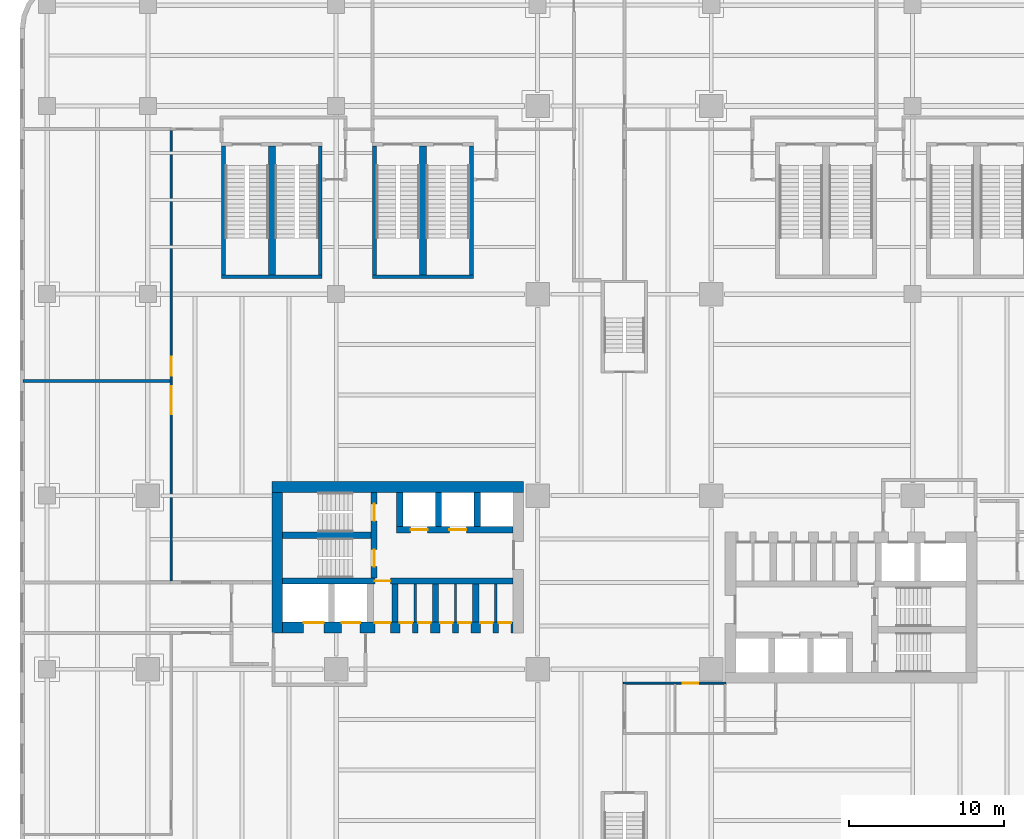
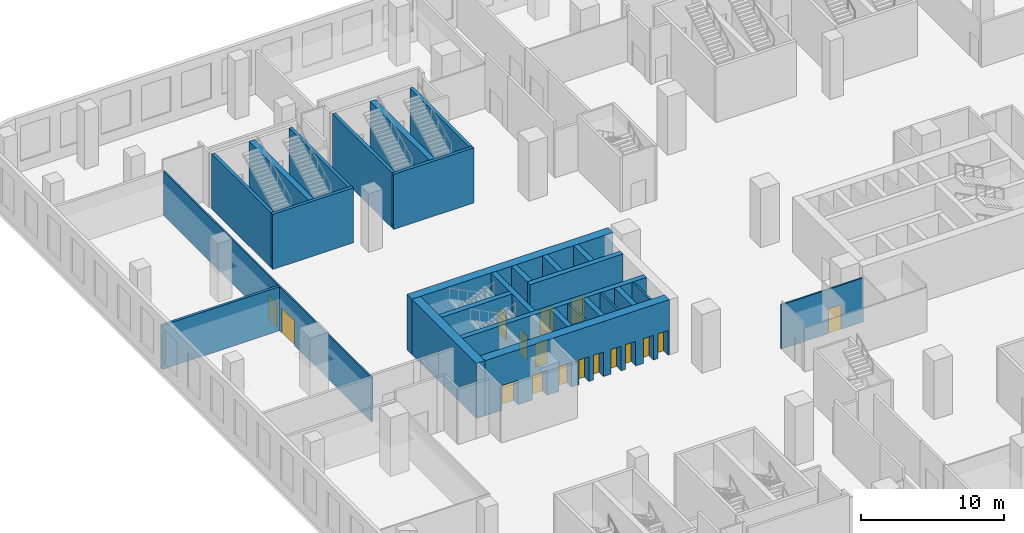
# One storey, part 9 of 17: 27 walls, 17 doors, 17 openings.
"""IFC4 building model written with IfcOpenShell, lengths in metres."""

from ifc_helpers import new_model, si_unit, direction, frame, frame_2d, origin, place, context, subcontext, project, spatial, rectangle, extrude, source, transform, mapped, material, layer, layer_set, type_object, element, fill, save


model = new_model("IFC4")

# Units and contexts
model_context = context("Model", 3, precision=1e-05, world=origin(), true_north=direction((0.0, 1.0)))
body_context = subcontext(model_context, "Body", "Model", "MODEL_VIEW")
ifc_project = project(units=[si_unit("LENGTHUNIT", "METRE"), si_unit("AREAUNIT", "SQUARE_METRE"), si_unit("VOLUMEUNIT", "CUBIC_METRE"), si_unit("PLANEANGLEUNIT", "RADIAN"), si_unit("MASSUNIT", "GRAM", prefix="KILO")], contexts=[model_context])

# Site, building, storey
site_placement = place(None, origin())
site = spatial("IfcSite", under=ifc_project, at=site_placement, CompositionType="ELEMENT")
building_placement = place(site_placement, origin())
building = spatial("IfcBuilding", under=site, at=building_placement, Name="Trellis Farm Tower", CompositionType="ELEMENT")
storey_placement = place(building_placement, frame((0.0, 0.0, 19.0)))
storey = spatial("IfcBuildingStorey", under=building, at=storey_placement, Name="L03", CompositionType="ELEMENT", Elevation=19.0)

# Wall
ifc_material_1 = material(Name="Lightweight blockwork, plastered", Category="masonry")
ifc_layer_1 = layer(ifc_material_1, 0.199951171875)
ifc_layer_set_1 = layer_set([ifc_layer_1], Name="BLOCK WALL 200 EI 120")
wall_type_1 = type_object("IfcWallType", Name="BLOCK WALL 200 EI 120", PredefinedType="PARTITIONING", material=ifc_layer_set_1)
wall_1_placement = place(storey_placement, frame((-38.800048828125, 13.0, 0.0), z_axis=(0.0, 0.0, 1.0), x_axis=(1.0, 0.0, 0.0)))
element("IfcWall", 1, at=wall_1_placement, inside=storey, type_object=wall_type_1, Name="Partition PW3", PredefinedType="PARTITIONING", context=body_context, shape_type="SweptSolid", body=[
    extrude(rectangle(XDim=9.487548828125, YDim=0.199951171875, at=frame_2d((4.74365234375, 0.0))), origin(), (0.0, 0.0, 1.0), 3.76171875),
])

# Wall, openings, doors
ifc_material_2 = material(Name="Plasterboard on steel studs, mineral wool", Category="steel")
ifc_layer_2 = layer(ifc_material_2, 0.125)
ifc_layer_set_2 = layer_set([ifc_layer_2], Name="PARTITION 125 STUD EI 60")
wall_type_2 = type_object("IfcWallType", Name="PARTITION 125 STUD EI 60", PredefinedType="PARTITIONING", material=ifc_layer_set_2)
wall_2_placement = place(storey_placement, frame((-29.25, 0.10009765625, 0.0), z_axis=(0.0, 0.0, 1.0), x_axis=(0.0, 1.0, 0.0)))
wall_2 = element("IfcWall", 2, at=wall_2_placement, inside=storey, type_object=wall_type_2, Name="Partition PW1", PredefinedType="PARTITIONING", context=body_context, shape_type="SweptSolid", body=[
    extrude(rectangle(XDim=29.0498046875, YDim=0.125, at=frame_2d((14.52490234375, 0.0))), origin(), (0.0, 0.0, 1.0), 3.76171875),
])
shared_shape_1 = source(origin(), body_context, "Body", "SweptSolid", [
    extrude(rectangle(XDim=1.800048828125, YDim=2.10009765625, at=frame_2d((0.89990234375, 1.050048828125))), frame((0.0, 0.072509765625, 0.0), z_axis=(0.0, -1.0, 0.0), x_axis=(1.0, 0.0, 0.0)), (0.0, 0.0, 1.0), 0.14501953125),
])
opening_1_placement = place(wall_2_placement, frame((10.75, 0.0, 0.0)))
opening_1 = element("IfcOpeningElement", 3, at=opening_1_placement, cuts=wall_2, Name="Opening D204", PredefinedType="OPENING", context=body_context, shape_type="MappedRepresentation", body=[
    mapped(shared_shape_1, transform((0.0, 0.0, 0.0))),
])
shared_shape_2 = source(origin(), body_context, "Body", "SweptSolid", [
    extrude(rectangle(XDim=1.199951171875, YDim=2.10009765625, at=frame_2d((0.60009765625, 1.050048828125))), frame((0.0, 0.072509765625, 0.0), z_axis=(0.0, -1.0, 0.0), x_axis=(1.0, 0.0, 0.0)), (0.0, 0.0, 1.0), 0.14501953125),
])
opening_2_placement = place(wall_2_placement, frame((13.25, 0.0, 0.0)))
opening_2 = element("IfcOpeningElement", 4, at=opening_2_placement, cuts=wall_2, Name="Opening D604", PredefinedType="OPENING", context=body_context, shape_type="MappedRepresentation", body=[
    mapped(shared_shape_2, transform((0.0, 0.0, 0.0))),
])
ifc_material_3 = material(Name="Fire-rated timber door leaf in a hollow metal frame", Category="wood")
door_type_1 = type_object("IfcDoorType", Name="DOOR 1200x2100 FD30S", OperationType="NOTDEFINED", PredefinedType="DOOR", material=ifc_material_3)
shared_shape_3 = source(origin(), body_context, "Body", "SweptSolid", [
    extrude(rectangle(XDim=1.199951171875, YDim=2.10009765625, at=frame_2d((0.60009765625, 1.050048828125))), frame((0.0, 0.02490234375, 0.0), z_axis=(0.0, -1.0, 0.0), x_axis=(1.0, 0.0, 0.0)), (0.0, 0.0, 1.0), 0.050048828125),
])
door_1_placement = place(opening_2_placement, origin())
door_1 = element("IfcDoor", 5, at=door_1_placement, inside=storey, type_object=door_type_1, Name="Door D604", OperationType="SINGLE_SWING_LEFT", OverallHeight=2.10009765625, OverallWidth=1.199951171875, PredefinedType="DOOR", context=body_context, shape_type="MappedRepresentation", body=[
    mapped(shared_shape_3, transform((0.0, 0.0, 0.0))),
])
fill(opening_2, door_1)
door_type_2 = type_object("IfcDoorType", Name="DOOR PAIR 1800x2100 FD30S", OperationType="NOTDEFINED", PredefinedType="DOOR", material=ifc_material_3)
shared_shape_4 = source(origin(), body_context, "Body", "SweptSolid", [
    extrude(rectangle(XDim=1.800048828125, YDim=2.10009765625, at=frame_2d((0.89990234375, 1.050048828125))), frame((0.0, 0.02490234375, 0.0), z_axis=(0.0, -1.0, 0.0), x_axis=(1.0, 0.0, 0.0)), (0.0, 0.0, 1.0), 0.050048828125),
])
door_2_placement = place(opening_1_placement, origin())
door_2 = element("IfcDoor", 6, at=door_2_placement, inside=storey, type_object=door_type_2, Name="Door D204", OperationType="DOUBLE_DOOR_SINGLE_SWING", OverallHeight=2.10009765625, OverallWidth=1.800048828125, PredefinedType="DOOR", context=body_context, shape_type="MappedRepresentation", body=[
    mapped(shared_shape_4, transform((0.0, 0.0, 0.0))),
])
fill(opening_1, door_2)

# Walls
ifc_material_4 = material(Name="Concrete C80/95", Category="concrete")
ifc_layer_3 = layer(ifc_material_4, 0.699951171875)
ifc_layer_set_3 = layer_set([ifc_layer_3], Name="CORE OUTER WALL 700 CONCRETE C80/95")
wall_type_3 = type_object("IfcWallType", Name="CORE OUTER WALL 700 CONCRETE C80/95", PredefinedType="SHEAR", material=ifc_layer_set_3)
shared_shape_5 = source(origin(), body_context, "Body", "SweptSolid", [
    extrude(rectangle(XDim=9.050048828125, YDim=0.699951171875, at=frame_2d((4.52490234375, 0.0))), origin(), (0.0, 0.0, 1.0), 4.699951171875),
])
wall_3_placement = place(storey_placement, frame((-22.39990234375, 5.800048828125, 0.0), z_axis=(0.0, 0.0, 1.0), x_axis=(0.0, -1.0, 0.0)))
element("IfcWall", 7, at=wall_3_placement, inside=storey, type_object=wall_type_3, Name="Core wall", PredefinedType="SHEAR", context=body_context, shape_type="MappedRepresentation", body=[
    mapped(shared_shape_5, transform((0.0, 0.0, 0.0))),
])
ifc_layer_4 = layer(ifc_material_4, 0.39990234375)
ifc_layer_set_4 = layer_set([ifc_layer_4], Name="CORE INNER WALL 400 CONCRETE C80/95")
wall_type_4 = type_object("IfcWallType", Name="CORE INNER WALL 400 CONCRETE C80/95", PredefinedType="SHEAR", material=ifc_layer_set_4)
shared_shape_6 = source(origin(), body_context, "Body", "SweptSolid", [
    extrude(rectangle(XDim=2.199951171875, YDim=0.39990234375, at=frame_2d((1.10009765625, 0.0))), origin(), (0.0, 0.0, 1.0), 4.699951171875),
])
for number, where, z_axis, x_axis, name in (
    (8, (-9.5, 5.800048828125, 0.0), (0.0, 0.0, 1.0), (0.0, -1.0, 0.0), "Core wall"),
    (9, (-12.0, 5.800048828125, 0.0), (0.0, 0.0, 1.0), (0.0, -1.0, 0.0), "Core wall"),
    (10, (-14.5, 5.800048828125, 0.0), (0.0, 0.0, 1.0), (0.0, -1.0, 0.0), "Core wall"),
):
    element("IfcWall", number, at=place(storey_placement, frame(where, z_axis=z_axis, x_axis=x_axis)), inside=storey, type_object=wall_type_4, Name=name, PredefinedType="SHEAR", context=body_context, shape_type="MappedRepresentation", body=[
        mapped(shared_shape_6, transform((0.0, 0.0, 0.0))),
    ])
shared_shape_7 = source(origin(), body_context, "Body", "SweptSolid", [
    extrude(rectangle(XDim=2.449951171875, YDim=0.39990234375, at=frame_2d((1.22509765625, 0.0))), origin(), (0.0, 0.0, 1.0), 4.699951171875),
])
for number, where, z_axis, x_axis, name in (
    (11, (-9.60009765625, -0.10009765625, 0.0), (0.0, 0.0, 1.0), (0.0, -1.0, 0.0), "Core wall"),
    (12, (-12.199951171875, -0.10009765625, 0.0), (0.0, 0.0, 1.0), (0.0, -1.0, 0.0), "Core wall"),
    (13, (-14.800048828125, -0.10009765625, 0.0), (0.0, 0.0, 1.0), (0.0, -1.0, 0.0), "Core wall"),
):
    element("IfcWall", number, at=place(storey_placement, frame(where, z_axis=z_axis, x_axis=x_axis)), inside=storey, type_object=wall_type_4, Name=name, PredefinedType="SHEAR", context=body_context, shape_type="MappedRepresentation", body=[
        mapped(shared_shape_7, transform((0.0, 0.0, 0.0))),
    ])
shared_shape_8 = source(origin(), body_context, "Body", "SweptSolid", [
    extrude(rectangle(XDim=16.25, YDim=0.699951171875, at=frame_2d((8.125, 0.0))), origin(), (0.0, 0.0, 1.0), 4.699951171875),
])
wall_4_placement = place(storey_placement, frame((-6.5, 6.14990234375, 0.0), z_axis=(0.0, 0.0, 1.0), x_axis=(-1.0, 0.0, 0.0)))
element("IfcWall", 14, at=wall_4_placement, inside=storey, type_object=wall_type_3, Name="Core wall", PredefinedType="SHEAR", context=body_context, shape_type="MappedRepresentation", body=[
    mapped(shared_shape_8, transform((0.0, 0.0, 0.0))),
])

# Wall, openings, doors
shared_shape_9 = source(origin(), body_context, "Body", "SweptSolid", [
    extrude(rectangle(XDim=14.85009765625, YDim=0.699951171875, at=frame_2d((7.425048828125, 0.0))), origin(), (0.0, 0.0, 1.0), 4.699951171875),
])
wall_5_placement = place(storey_placement, frame((-7.199951171875, -2.89990234375, 0.0), z_axis=(0.0, 0.0, 1.0), x_axis=(-1.0, 0.0, 0.0)))
wall_5 = element("IfcWall", 15, at=wall_5_placement, inside=storey, type_object=wall_type_3, Name="Core wall", PredefinedType="SHEAR", context=body_context, shape_type="MappedRepresentation", body=[
    mapped(shared_shape_9, transform((0.0, 0.0, 0.0))),
])
shared_shape_10 = source(origin(), body_context, "Body", "SweptSolid", [
    extrude(rectangle(XDim=1.300048828125, YDim=2.10009765625, at=frame_2d((0.64990234375, 1.050048828125))), frame((0.0, 0.360107421875, 0.0), z_axis=(0.0, -1.0, 0.0), x_axis=(1.0, 0.0, 0.0)), (0.0, 0.0, 1.0), 0.72021484375),
])
opening_3_placement = place(wall_5_placement, frame((12.199951171875, 0.0, 0.0)))
opening_3 = element("IfcOpeningElement", 16, at=opening_3_placement, cuts=wall_5, Name="Opening LD15", PredefinedType="OPENING", context=body_context, shape_type="MappedRepresentation", body=[
    mapped(shared_shape_10, transform((0.0, 0.0, 0.0))),
])
shared_shape_11 = source(origin(), body_context, "Body", "SweptSolid", [
    extrude(rectangle(XDim=1.199951171875, YDim=2.10009765625, at=frame_2d((0.60009765625, 1.050048828125))), frame((0.0, 0.360107421875, 0.0), z_axis=(0.0, -1.0, 0.0), x_axis=(1.0, 0.0, 0.0)), (0.0, 0.0, 1.0), 0.72021484375),
])
opening_4_placement = place(wall_5_placement, frame((9.85009765625, 0.0, 0.0)))
opening_4 = element("IfcOpeningElement", 17, at=opening_4_placement, cuts=wall_5, Name="Opening LD16", PredefinedType="OPENING", context=body_context, shape_type="MappedRepresentation", body=[
    mapped(shared_shape_11, transform((0.0, 0.0, 0.0))),
])
shared_shape_12 = source(origin(), body_context, "Body", "SweptSolid", [
    extrude(rectangle(XDim=1.0, YDim=2.10009765625, at=frame_2d((0.5, 1.050048828125))), frame((0.0, 0.360107421875, 0.0), z_axis=(0.0, -1.0, 0.0), x_axis=(1.0, 0.0, 0.0)), (0.0, 0.0, 1.0), 0.72021484375),
])
opening_5_placement = place(wall_5_placement, frame((7.89990234375, 0.0, 0.0)))
opening_5 = element("IfcOpeningElement", 18, at=opening_5_placement, cuts=wall_5, Name="Opening DC92", PredefinedType="OPENING", context=body_context, shape_type="MappedRepresentation", body=[
    mapped(shared_shape_12, transform((0.0, 0.0, 0.0))),
])
shared_shape_13 = source(origin(), body_context, "Body", "SweptSolid", [
    extrude(rectangle(XDim=0.800048828125, YDim=2.10009765625, at=frame_2d((0.39990234375, 1.050048828125))), frame((0.0, 0.360107421875, 0.0), z_axis=(0.0, -1.0, 0.0), x_axis=(1.0, 0.0, 0.0)), (0.0, 0.0, 1.0), 0.72021484375),
])
opening_6_placement = place(wall_5_placement, frame((0.112548828125, 0.0, 0.0)))
opening_6 = element("IfcOpeningElement", 19, at=opening_6_placement, cuts=wall_5, Name="Opening DC95", PredefinedType="OPENING", context=body_context, shape_type="MappedRepresentation", body=[
    mapped(shared_shape_13, transform((0.0, 0.0, 0.0))),
])
opening_7_placement = place(wall_5_placement, frame((1.28759765625, 0.0, 0.0)))
opening_7 = element("IfcOpeningElement", 20, at=opening_7_placement, cuts=wall_5, Name="Opening DC102", PredefinedType="OPENING", context=body_context, shape_type="MappedRepresentation", body=[
    mapped(shared_shape_13, transform((0.0, 0.0, 0.0))),
])
opening_8_placement = place(wall_5_placement, frame((2.71240234375, 0.0, 0.0)))
opening_8 = element("IfcOpeningElement", 21, at=opening_8_placement, cuts=wall_5, Name="Opening DC107", PredefinedType="OPENING", context=body_context, shape_type="MappedRepresentation", body=[
    mapped(shared_shape_13, transform((0.0, 0.0, 0.0))),
])
opening_9_placement = place(wall_5_placement, frame((3.887451171875, 0.0, 0.0)))
opening_9 = element("IfcOpeningElement", 22, at=opening_9_placement, cuts=wall_5, Name="Opening DC114", PredefinedType="OPENING", context=body_context, shape_type="MappedRepresentation", body=[
    mapped(shared_shape_13, transform((0.0, 0.0, 0.0))),
])
opening_10_placement = place(wall_5_placement, frame((5.3125, 0.0, 0.0)))
opening_10 = element("IfcOpeningElement", 23, at=opening_10_placement, cuts=wall_5, Name="Opening DC119", PredefinedType="OPENING", context=body_context, shape_type="MappedRepresentation", body=[
    mapped(shared_shape_13, transform((0.0, 0.0, 0.0))),
])
opening_11_placement = place(wall_5_placement, frame((6.487548828125, 0.0, 0.0)))
opening_11 = element("IfcOpeningElement", 24, at=opening_11_placement, cuts=wall_5, Name="Opening DC126", PredefinedType="OPENING", context=body_context, shape_type="MappedRepresentation", body=[
    mapped(shared_shape_13, transform((0.0, 0.0, 0.0))),
])
ifc_material_5 = material(Name="Steel", Category="steel")
door_type_3 = type_object("IfcDoorType", Name="CORE FIRE DOOR 1000 X 2100", OperationType="NOTDEFINED", PredefinedType="DOOR", material=ifc_material_5)
shared_shape_14 = source(origin(), body_context, "Body", "SweptSolid", [
    extrude(rectangle(XDim=1.0, YDim=2.10009765625, at=frame_2d((0.5, 1.050048828125))), frame((0.0, -0.27490234375, 0.0), z_axis=(0.0, -1.0, 0.0), x_axis=(1.0, 0.0, 0.0)), (0.0, 0.0, 1.0), 0.050048828125),
])
door_3_placement = place(opening_5_placement, origin())
door_3 = element("IfcDoor", 25, at=door_3_placement, inside=storey, type_object=door_type_3, Name="Core door", OperationType="SINGLE_SWING_LEFT", OverallHeight=2.10009765625, OverallWidth=1.0, PredefinedType="DOOR", context=body_context, shape_type="MappedRepresentation", body=[
    mapped(shared_shape_14, transform((0.0, 0.0, 0.0))),
])
fill(opening_5, door_3)
ifc_material_6 = material(Name="Stainless steel", Category="steel")
door_type_4 = type_object("IfcDoorType", Name="LIFT LANDING DOOR 1300 X 2100", OperationType="DOUBLE_DOOR_SLIDING", PredefinedType="DOOR", material=ifc_material_6)
shared_shape_15 = source(origin(), body_context, "Body", "SweptSolid", [
    extrude(rectangle(XDim=1.300048828125, YDim=2.10009765625, at=frame_2d((0.64990234375, 1.050048828125))), frame((0.0, -0.27490234375, 0.0), z_axis=(0.0, -1.0, 0.0), x_axis=(1.0, 0.0, 0.0)), (0.0, 0.0, 1.0), 0.050048828125),
])
door_4_placement = place(opening_3_placement, origin())
door_4 = element("IfcDoor", 26, at=door_4_placement, inside=storey, type_object=door_type_4, Name="Lift landing door", OperationType="DOUBLE_DOOR_SLIDING", OverallHeight=2.10009765625, OverallWidth=1.300048828125, PredefinedType="DOOR", context=body_context, shape_type="MappedRepresentation", body=[
    mapped(shared_shape_15, transform((0.0, 0.0, 0.0))),
])
fill(opening_3, door_4)
door_type_5 = type_object("IfcDoorType", Name="LIFT LANDING DOOR 1200 X 2100", OperationType="DOUBLE_DOOR_SLIDING", PredefinedType="DOOR", material=ifc_material_6)
shared_shape_16 = source(origin(), body_context, "Body", "SweptSolid", [
    extrude(rectangle(XDim=1.199951171875, YDim=2.10009765625, at=frame_2d((0.60009765625, 1.050048828125))), frame((0.0, -0.27490234375, 0.0), z_axis=(0.0, -1.0, 0.0), x_axis=(1.0, 0.0, 0.0)), (0.0, 0.0, 1.0), 0.050048828125),
])
door_5_placement = place(opening_4_placement, origin())
door_5 = element("IfcDoor", 27, at=door_5_placement, inside=storey, type_object=door_type_5, Name="Lift landing door", OperationType="DOUBLE_DOOR_SLIDING", OverallHeight=2.10009765625, OverallWidth=1.199951171875, PredefinedType="DOOR", context=body_context, shape_type="MappedRepresentation", body=[
    mapped(shared_shape_16, transform((0.0, 0.0, 0.0))),
])
fill(opening_4, door_5)
door_type_6 = type_object("IfcDoorType", Name="CORE FIRE DOOR 800 X 2100", OperationType="NOTDEFINED", PredefinedType="DOOR", material=ifc_material_5)
shared_shape_17 = source(origin(), body_context, "Body", "SweptSolid", [
    extrude(rectangle(XDim=0.800048828125, YDim=2.10009765625, at=frame_2d((0.39990234375, 1.050048828125))), frame((0.0, -0.27490234375, 0.0), z_axis=(0.0, -1.0, 0.0), x_axis=(1.0, 0.0, 0.0)), (0.0, 0.0, 1.0), 0.050048828125),
])
door_6_placement = place(opening_6_placement, origin())
door_6 = element("IfcDoor", 28, at=door_6_placement, inside=storey, type_object=door_type_6, Name="Core door", OperationType="SINGLE_SWING_LEFT", OverallHeight=2.10009765625, OverallWidth=0.800048828125, PredefinedType="DOOR", context=body_context, shape_type="MappedRepresentation", body=[
    mapped(shared_shape_17, transform((0.0, 0.0, 0.0))),
])
fill(opening_6, door_6)
door_7_placement = place(opening_7_placement, origin())
door_7 = element("IfcDoor", 29, at=door_7_placement, inside=storey, type_object=door_type_6, Name="Core door", OperationType="SINGLE_SWING_RIGHT", OverallHeight=2.10009765625, OverallWidth=0.800048828125, PredefinedType="DOOR", context=body_context, shape_type="MappedRepresentation", body=[
    mapped(shared_shape_17, transform((0.0, 0.0, 0.0))),
])
fill(opening_7, door_7)
door_8_placement = place(opening_8_placement, origin())
door_8 = element("IfcDoor", 30, at=door_8_placement, inside=storey, type_object=door_type_6, Name="Core door", OperationType="SINGLE_SWING_LEFT", OverallHeight=2.10009765625, OverallWidth=0.800048828125, PredefinedType="DOOR", context=body_context, shape_type="MappedRepresentation", body=[
    mapped(shared_shape_17, transform((0.0, 0.0, 0.0))),
])
fill(opening_8, door_8)
door_9_placement = place(opening_9_placement, origin())
door_9 = element("IfcDoor", 31, at=door_9_placement, inside=storey, type_object=door_type_6, Name="Core door", OperationType="SINGLE_SWING_RIGHT", OverallHeight=2.10009765625, OverallWidth=0.800048828125, PredefinedType="DOOR", context=body_context, shape_type="MappedRepresentation", body=[
    mapped(shared_shape_17, transform((0.0, 0.0, 0.0))),
])
fill(opening_9, door_9)
door_10_placement = place(opening_10_placement, origin())
door_10 = element("IfcDoor", 32, at=door_10_placement, inside=storey, type_object=door_type_6, Name="Core door", OperationType="SINGLE_SWING_LEFT", OverallHeight=2.10009765625, OverallWidth=0.800048828125, PredefinedType="DOOR", context=body_context, shape_type="MappedRepresentation", body=[
    mapped(shared_shape_17, transform((0.0, 0.0, 0.0))),
])
fill(opening_10, door_10)
door_11_placement = place(opening_11_placement, origin())
door_11 = element("IfcDoor", 33, at=door_11_placement, inside=storey, type_object=door_type_6, Name="Core door", OperationType="SINGLE_SWING_RIGHT", OverallHeight=2.10009765625, OverallWidth=0.800048828125, PredefinedType="DOOR", context=body_context, shape_type="MappedRepresentation", body=[
    mapped(shared_shape_17, transform((0.0, 0.0, 0.0))),
])
fill(opening_11, door_11)

shared_shape_18 = source(origin(), body_context, "Body", "SweptSolid", [
    extrude(rectangle(XDim=7.5, YDim=0.39990234375, at=frame_2d((3.75, 0.0))), origin(), (0.0, 0.0, 1.0), 4.699951171875),
])
wall_6_placement = place(storey_placement, frame((-7.199951171875, 3.39990234375, 0.0), z_axis=(0.0, 0.0, 1.0), x_axis=(-1.0, 0.0, 0.0)))
wall_6 = element("IfcWall", 34, at=wall_6_placement, inside=storey, type_object=wall_type_4, Name="Core wall", PredefinedType="SHEAR", context=body_context, shape_type="MappedRepresentation", body=[
    mapped(shared_shape_18, transform((0.0, 0.0, 0.0))),
])
shared_shape_19 = source(origin(), body_context, "Body", "SweptSolid", [
    extrude(rectangle(XDim=1.10009765625, YDim=2.10009765625, at=frame_2d((0.550048828125, 1.050048828125))), frame((0.0, 0.2099609375, 0.0), z_axis=(0.0, -1.0, 0.0), x_axis=(1.0, 0.0, 0.0)), (0.0, 0.0, 1.0), 0.419921875),
])
opening_12_placement = place(wall_6_placement, frame((3.0, 0.0, 0.0)))
opening_12 = element("IfcOpeningElement", 35, at=opening_12_placement, cuts=wall_6, Name="Opening LD10", PredefinedType="OPENING", context=body_context, shape_type="MappedRepresentation", body=[
    mapped(shared_shape_19, transform((0.0, 0.0, 0.0))),
])
opening_13_placement = place(wall_6_placement, frame((5.5, 0.0, 0.0)))
opening_13 = element("IfcOpeningElement", 36, at=opening_13_placement, cuts=wall_6, Name="Opening LD11", PredefinedType="OPENING", context=body_context, shape_type="MappedRepresentation", body=[
    mapped(shared_shape_19, transform((0.0, 0.0, 0.0))),
])
door_type_7 = type_object("IfcDoorType", Name="LIFT LANDING DOOR 1100 X 2100", OperationType="DOUBLE_DOOR_SLIDING", PredefinedType="DOOR", material=ifc_material_6)
shared_shape_20 = source(origin(), body_context, "Body", "SweptSolid", [
    extrude(rectangle(XDim=1.10009765625, YDim=2.10009765625, at=frame_2d((0.550048828125, 1.050048828125))), frame((0.0, 0.02490234375, 0.0), z_axis=(0.0, -1.0, 0.0), x_axis=(1.0, 0.0, 0.0)), (0.0, 0.0, 1.0), 0.050048828125),
])
door_12_placement = place(opening_12_placement, origin())
door_12 = element("IfcDoor", 37, at=door_12_placement, inside=storey, type_object=door_type_7, Name="Lift landing door", OperationType="DOUBLE_DOOR_SLIDING", OverallHeight=2.10009765625, OverallWidth=1.10009765625, PredefinedType="DOOR", context=body_context, shape_type="MappedRepresentation", body=[
    mapped(shared_shape_20, transform((0.0, 0.0, 0.0))),
])
fill(opening_12, door_12)
door_13_placement = place(opening_13_placement, origin())
door_13 = element("IfcDoor", 38, at=door_13_placement, inside=storey, type_object=door_type_7, Name="Lift landing door", OperationType="DOUBLE_DOOR_SLIDING", OverallHeight=2.10009765625, OverallWidth=1.10009765625, PredefinedType="DOOR", context=body_context, shape_type="MappedRepresentation", body=[
    mapped(shared_shape_20, transform((0.0, 0.0, 0.0))),
])
fill(opening_13, door_13)

# Wall, opening, door
shared_shape_21 = source(origin(), body_context, "Body", "SweptSolid", [
    extrude(rectangle(XDim=14.85009765625, YDim=0.39990234375, at=frame_2d((7.425048828125, 0.0))), origin(), (0.0, 0.0, 1.0), 4.699951171875),
])
wall_7_placement = place(storey_placement, frame((-7.199951171875, 0.10009765625, 0.0), z_axis=(0.0, 0.0, 1.0), x_axis=(-1.0, 0.0, 0.0)))
wall_7 = element("IfcWall", 39, at=wall_7_placement, inside=storey, type_object=wall_type_4, Name="Core wall", PredefinedType="SHEAR", context=body_context, shape_type="MappedRepresentation", body=[
    mapped(shared_shape_21, transform((0.0, 0.0, 0.0))),
])
shared_shape_22 = source(origin(), body_context, "Body", "SweptSolid", [
    extrude(rectangle(XDim=1.0, YDim=2.10009765625, at=frame_2d((0.5, 1.050048828125))), frame((0.0, 0.2099609375, 0.0), z_axis=(0.0, -1.0, 0.0), x_axis=(1.0, 0.0, 0.0)), (0.0, 0.0, 1.0), 0.419921875),
])
opening_14_placement = place(wall_7_placement, frame((7.89990234375, 0.0, 0.0)))
opening_14 = element("IfcOpeningElement", 40, at=opening_14_placement, cuts=wall_7, Name="Opening DC91", PredefinedType="OPENING", context=body_context, shape_type="MappedRepresentation", body=[
    mapped(shared_shape_22, transform((0.0, 0.0, 0.0))),
])
shared_shape_23 = source(origin(), body_context, "Body", "SweptSolid", [
    extrude(rectangle(XDim=1.0, YDim=2.10009765625, at=frame_2d((0.5, 1.050048828125))), frame((0.0, 0.02490234375, 0.0), z_axis=(0.0, -1.0, 0.0), x_axis=(1.0, 0.0, 0.0)), (0.0, 0.0, 1.0), 0.050048828125),
])
door_14_placement = place(opening_14_placement, origin())
door_14 = element("IfcDoor", 41, at=door_14_placement, inside=storey, type_object=door_type_3, Name="Core door", OperationType="SINGLE_SWING_RIGHT", OverallHeight=2.10009765625, OverallWidth=1.0, PredefinedType="DOOR", context=body_context, shape_type="MappedRepresentation", body=[
    mapped(shared_shape_23, transform((0.0, 0.0, 0.0))),
])
fill(opening_14, door_14)

# Wall, openings, doors
shared_shape_24 = source(origin(), body_context, "Body", "SweptSolid", [
    extrude(rectangle(XDim=5.5, YDim=0.39990234375, at=frame_2d((2.75, 0.0))), origin(), (0.0, 0.0, 1.0), 4.699951171875),
])
wall_8_placement = place(storey_placement, frame((-16.14990234375, 5.800048828125, 0.0), z_axis=(0.0, 0.0, 1.0), x_axis=(0.0, -1.0, 0.0)))
wall_8 = element("IfcWall", 42, at=wall_8_placement, inside=storey, type_object=wall_type_4, Name="Core wall", PredefinedType="SHEAR", context=body_context, shape_type="MappedRepresentation", body=[
    mapped(shared_shape_24, transform((0.0, 0.0, 0.0))),
])
opening_15_placement = place(wall_8_placement, frame((0.72509765625, 0.0, 0.0)))
opening_15 = element("IfcOpeningElement", 43, at=opening_15_placement, cuts=wall_8, Name="Opening DC88", PredefinedType="OPENING", context=body_context, shape_type="MappedRepresentation", body=[
    mapped(shared_shape_19, transform((0.0, 0.0, 0.0))),
])
opening_16_placement = place(wall_8_placement, frame((3.675048828125, 0.0, 0.0)))
opening_16 = element("IfcOpeningElement", 44, at=opening_16_placement, cuts=wall_8, Name="Opening DC89", PredefinedType="OPENING", context=body_context, shape_type="MappedRepresentation", body=[
    mapped(shared_shape_19, transform((0.0, 0.0, 0.0))),
])
door_type_8 = type_object("IfcDoorType", Name="CORE FIRE DOOR 1100 X 2100", OperationType="NOTDEFINED", PredefinedType="DOOR", material=ifc_material_5)
door_15_placement = place(opening_15_placement, origin())
door_15 = element("IfcDoor", 45, at=door_15_placement, inside=storey, type_object=door_type_8, Name="Core door", OperationType="SINGLE_SWING_RIGHT", OverallHeight=2.10009765625, OverallWidth=1.10009765625, PredefinedType="DOOR", context=body_context, shape_type="MappedRepresentation", body=[
    mapped(shared_shape_20, transform((0.0, 0.0, 0.0))),
])
fill(opening_15, door_15)
door_16_placement = place(opening_16_placement, origin())
door_16 = element("IfcDoor", 46, at=door_16_placement, inside=storey, type_object=door_type_8, Name="Core door", OperationType="SINGLE_SWING_LEFT", OverallHeight=2.10009765625, OverallWidth=1.10009765625, PredefinedType="DOOR", context=body_context, shape_type="MappedRepresentation", body=[
    mapped(shared_shape_20, transform((0.0, 0.0, 0.0))),
])
fill(opening_16, door_16)

# Walls
shared_shape_25 = source(origin(), body_context, "Body", "SweptSolid", [
    extrude(rectangle(XDim=5.699951171875, YDim=0.39990234375, at=frame_2d((2.85009765625, 0.0))), origin(), (0.0, 0.0, 1.0), 4.699951171875),
])
wall_9_placement = place(storey_placement, frame((-16.35009765625, 3.050048828125, 0.0), z_axis=(0.0, 0.0, 1.0), x_axis=(-1.0, 0.0, 0.0)))
element("IfcWall", 47, at=wall_9_placement, inside=storey, type_object=wall_type_4, Name="Core wall", PredefinedType="SHEAR", context=body_context, shape_type="MappedRepresentation", body=[
    mapped(shared_shape_25, transform((0.0, 0.0, 0.0))),
])
ifc_material_7 = material(Name="Masonry blockwork", Category="masonry")
ifc_layer_5 = layer(ifc_material_7, 0.14990234375)
ifc_layer_set_5 = layer_set([ifc_layer_5], Name="CORE PARTITION 150 BLOCKWORK")
wall_type_5 = type_object("IfcWallType", Name="CORE PARTITION 150 BLOCKWORK", PredefinedType="PARTITIONING", material=ifc_layer_set_5)
shared_shape_26 = source(origin(), body_context, "Body", "SweptSolid", [
    extrude(rectangle(XDim=2.449951171875, YDim=0.14990234375, at=frame_2d((1.22509765625, 0.0))), origin(), (0.0, 0.0, 1.0), 4.699951171875),
])
for number, where, z_axis, x_axis, name in (
    (48, (-8.300048828125, -0.10009765625, 0.0), (0.0, 0.0, 1.0), (0.0, -1.0, 0.0), "Core room partition"),
    (49, (-10.89990234375, -0.10009765625, 0.0), (0.0, 0.0, 1.0), (0.0, -1.0, 0.0), "Core room partition"),
    (50, (-13.5, -0.10009765625, 0.0), (0.0, 0.0, 1.0), (0.0, -1.0, 0.0), "Core room partition"),
):
    element("IfcWall", number, at=place(storey_placement, frame(where, z_axis=z_axis, x_axis=x_axis)), inside=storey, type_object=wall_type_5, Name=name, PredefinedType="PARTITIONING", context=body_context, shape_type="MappedRepresentation", body=[
        mapped(shared_shape_26, transform((0.0, 0.0, 0.0))),
    ])
ifc_layer_6 = layer(ifc_material_4, 0.25)
ifc_layer_set_6 = layer_set([ifc_layer_6], Name="CORE STAIR ENCLOSURE WALL 250 CONCRETE C80/95")
wall_type_6 = type_object("IfcWallType", Name="CORE STAIR ENCLOSURE WALL 250 CONCRETE C80/95", PredefinedType="SHEAR", material=ifc_layer_set_6)
shared_shape_27 = source(origin(), body_context, "Body", "SweptSolid", [
    extrude(rectangle(XDim=6.5, YDim=0.25, at=frame_2d((3.25, 0.0))), origin(), (0.0, 0.0, 1.0), 4.699951171875),
])
for number, where, z_axis, x_axis, name in (
    (51, (-26.0, 19.72509765625, 0.0), (0.0, 0.0, 1.0), (1.0, 0.0, 0.0), "Podium stair enclosure wall"),
    (52, (-16.25, 19.72509765625, 0.0), (0.0, 0.0, 1.0), (1.0, 0.0, 0.0), "Podium stair enclosure wall"),
):
    element("IfcWall", number, at=place(storey_placement, frame(where, z_axis=z_axis, x_axis=x_axis)), inside=storey, type_object=wall_type_6, Name=name, PredefinedType="SHEAR", context=body_context, shape_type="MappedRepresentation", body=[
        mapped(shared_shape_27, transform((0.0, 0.0, 0.0))),
    ])
shared_shape_28 = source(origin(), body_context, "Body", "SweptSolid", [
    extrude(rectangle(XDim=8.2998046875, YDim=0.25, at=frame_2d((4.14990234375, 0.0))), origin(), (0.0, 0.0, 1.0), 4.699951171875),
])
for number, where, z_axis, x_axis, name in (
    (53, (-25.875, 19.85009765625, 0.0), (0.0, 0.0, 1.0), (0.0, 1.0, 0.0), "Podium stair enclosure wall"),
    (54, (-19.625, 19.85009765625, 0.0), (0.0, 0.0, 1.0), (0.0, 1.0, 0.0), "Podium stair enclosure wall"),
    (55, (-16.125, 19.85009765625, 0.0), (0.0, 0.0, 1.0), (0.0, 1.0, 0.0), "Podium stair enclosure wall"),
    (56, (-9.875, 19.85009765625, 0.0), (0.0, 0.0, 1.0), (0.0, 1.0, 0.0), "Podium stair enclosure wall"),
):
    element("IfcWall", number, at=place(storey_placement, frame(where, z_axis=z_axis, x_axis=x_axis)), inside=storey, type_object=wall_type_6, Name=name, PredefinedType="SHEAR", context=body_context, shape_type="MappedRepresentation", body=[
        mapped(shared_shape_28, transform((0.0, 0.0, 0.0))),
    ])
ifc_layer_7 = layer(ifc_material_4, 0.43994140625)
ifc_layer_set_7 = layer_set([ifc_layer_7], Name="CORE STAIR ENCLOSURE WALL 440 CONCRETE C80/95")
wall_type_7 = type_object("IfcWallType", Name="CORE STAIR ENCLOSURE WALL 440 CONCRETE C80/95", PredefinedType="SHEAR", material=ifc_layer_set_7)
shared_shape_29 = source(origin(), body_context, "Body", "SweptSolid", [
    extrude(rectangle(XDim=8.2998046875, YDim=0.43994140625, at=frame_2d((4.14990234375, 0.0))), origin(), (0.0, 0.0, 1.0), 4.699951171875),
])
for number, where, z_axis, x_axis, name in (
    (57, (-22.75, 19.85009765625, 0.0), (0.0, 0.0, 1.0), (0.0, 1.0, 0.0), "Podium stair enclosure wall"),
    (58, (-13.0, 19.85009765625, 0.0), (0.0, 0.0, 1.0), (0.0, 1.0, 0.0), "Podium stair enclosure wall"),
):
    element("IfcWall", number, at=place(storey_placement, frame(where, z_axis=z_axis, x_axis=x_axis)), inside=storey, type_object=wall_type_7, Name=name, PredefinedType="SHEAR", context=body_context, shape_type="MappedRepresentation", body=[
        mapped(shared_shape_29, transform((0.0, 0.0, 0.0))),
    ])

# Wall, opening, door
shared_shape_30 = source(origin(), body_context, "Body", "SweptSolid", [
    extrude(rectangle(XDim=6.612548828125, YDim=0.125, at=frame_2d((3.30615234375, 0.0))), origin(), (0.0, 0.0, 1.0), 3.76171875),
])
wall_10_placement = place(storey_placement, frame((6.550048828125, -6.5, 0.0), z_axis=(0.0, 0.0, 1.0), x_axis=(-1.0, 0.0, 0.0)))
wall_10 = element("IfcWall", 59, at=wall_10_placement, inside=storey, type_object=wall_type_2, Name="Partition PW1", PredefinedType="PARTITIONING", context=body_context, shape_type="MappedRepresentation", body=[
    mapped(shared_shape_30, transform((0.0, 0.0, 0.0))),
])
shared_shape_31 = source(origin(), body_context, "Body", "SweptSolid", [
    extrude(rectangle(XDim=1.0, YDim=2.10009765625, at=frame_2d((0.5, 1.050048828125))), frame((0.0, 0.072509765625, 0.0), z_axis=(0.0, -1.0, 0.0), x_axis=(1.0, 0.0, 0.0)), (0.0, 0.0, 1.0), 0.14501953125),
])
opening_17_placement = place(wall_10_placement, frame((1.800048828125, 0.0, 0.0)))
opening_17 = element("IfcOpeningElement", 60, at=opening_17_placement, cuts=wall_10, Name="Opening D102", PredefinedType="OPENING", context=body_context, shape_type="MappedRepresentation", body=[
    mapped(shared_shape_31, transform((0.0, 0.0, 0.0))),
])
door_type_9 = type_object("IfcDoorType", Name="DOOR 1000x2100 FD30S", OperationType="NOTDEFINED", PredefinedType="DOOR", material=ifc_material_3)
door_17_placement = place(opening_17_placement, origin())
door_17 = element("IfcDoor", 61, at=door_17_placement, inside=storey, type_object=door_type_9, Name="Door D102", OperationType="SINGLE_SWING_LEFT", OverallHeight=2.10009765625, OverallWidth=1.0, PredefinedType="DOOR", context=body_context, shape_type="MappedRepresentation", body=[
    mapped(shared_shape_23, transform((0.0, 0.0, 0.0))),
])
fill(opening_17, door_17)

save(model, "model.ifc")
